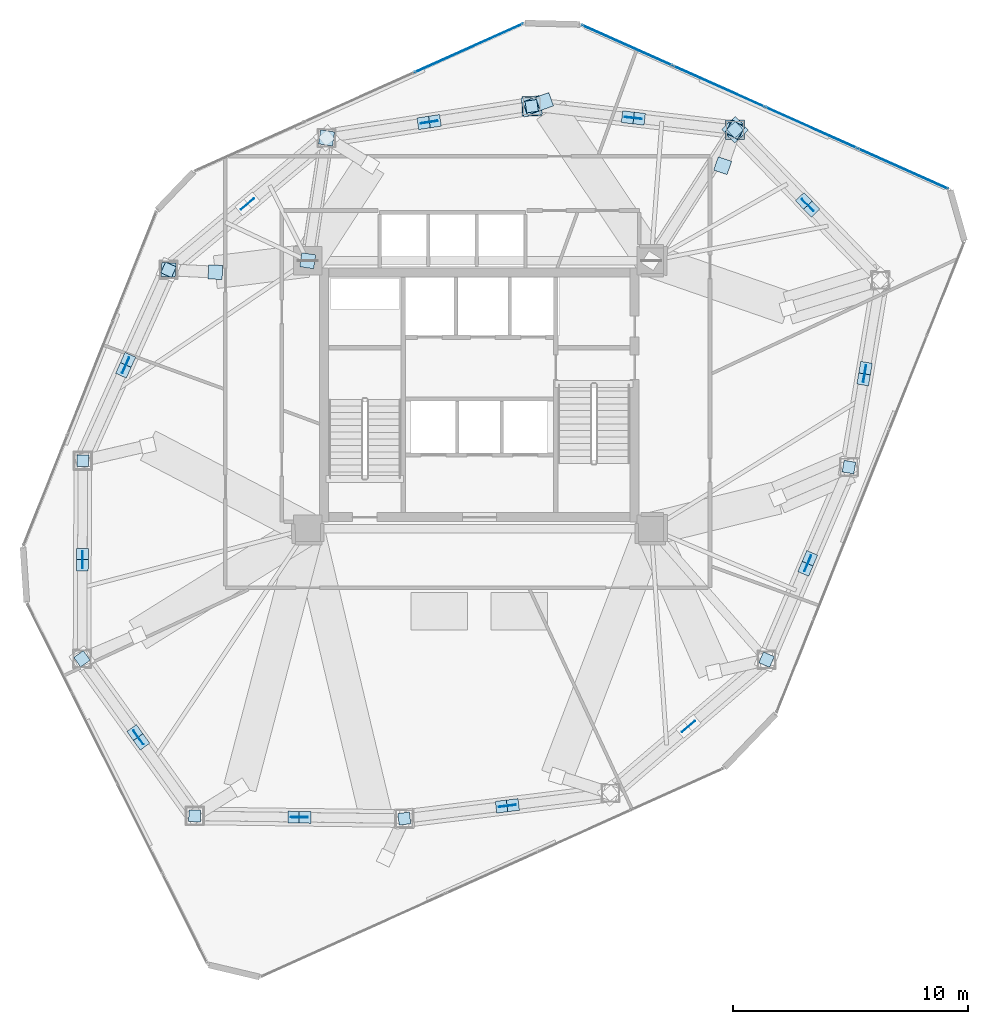
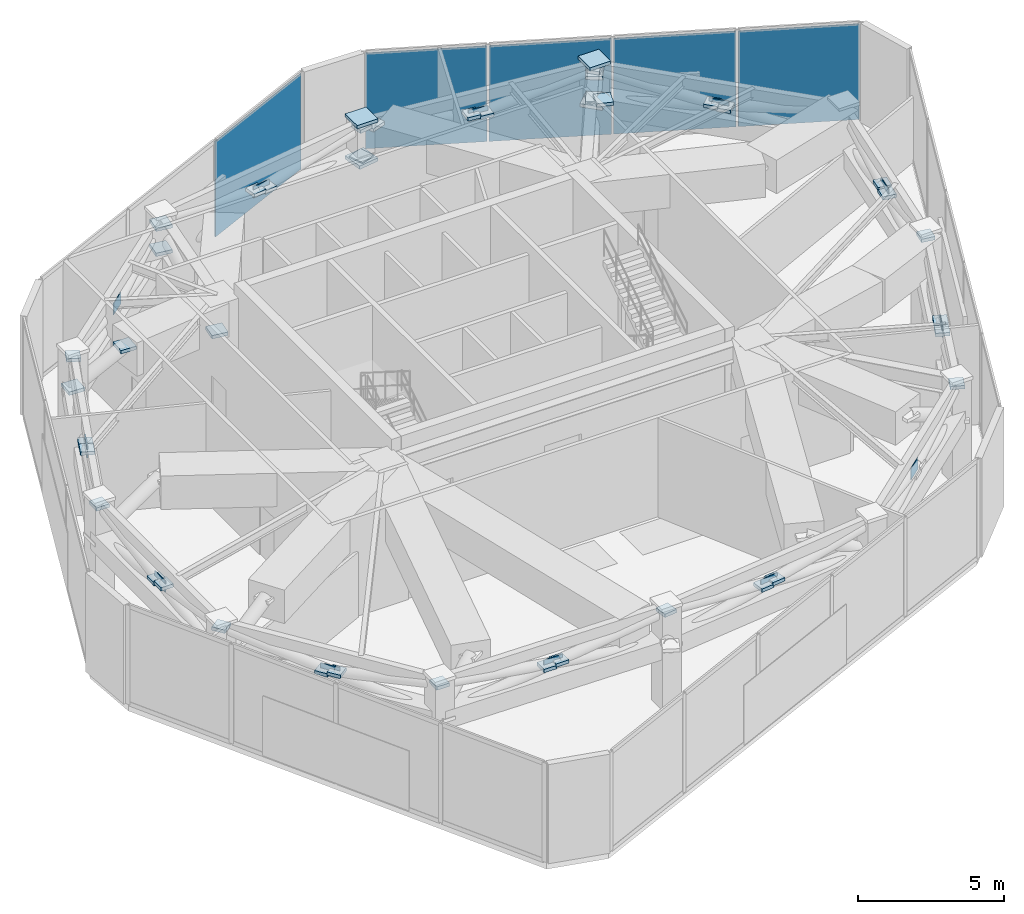
# One storey, part 17 of 21: 61 plates, 2 elements without a shape of their own.
"""IFC4 building model written with IfcOpenShell, lengths in metres."""

from ifc_helpers import new_model, si_unit, direction, frame, origin, origin_2d, place, context, subcontext, project, spatial, rectangle, extrude, source, transform, mapped, material, layer, layer_set, type_object, type_shapes, element, aggregate, save


model = new_model("IFC4")

# Units and contexts
model_context = context("Model", 3, precision=1e-05, world=origin(), true_north=direction((0.0, 1.0)))
body_context = subcontext(model_context, "Body", "Model", "MODEL_VIEW")
ifc_project = project(units=[si_unit("LENGTHUNIT", "METRE"), si_unit("AREAUNIT", "SQUARE_METRE"), si_unit("VOLUMEUNIT", "CUBIC_METRE"), si_unit("PLANEANGLEUNIT", "RADIAN"), si_unit("MASSUNIT", "GRAM", prefix="KILO")], contexts=[model_context])

# Site, building, storey
site_placement = place(None, origin())
site = spatial("IfcSite", under=ifc_project, at=site_placement, CompositionType="ELEMENT")
building_placement = place(site_placement, origin())
building = spatial("IfcBuilding", under=site, at=building_placement, Name="Talar Marvaseh", CompositionType="ELEMENT")
storey_placement = place(building_placement, frame((0.0, 0.0, 162.39990234375)))
storey = spatial("IfcBuildingStorey", under=building, at=storey_placement, Name="L42", CompositionType="ELEMENT", Elevation=162.39990234375)

# Plates
ifc_material_1 = material(Name="Steel S460", Category="steel")
ifc_layer_1 = layer(ifc_material_1, 0.02490234375)
ifc_layer_set_1 = layer_set([ifc_layer_1], Name="Steel S460")
plate_type_1 = type_object("IfcPlateType", Name="Crown Box End Closure Cap Plate 25", PredefinedType="USERDEFINED", material=ifc_layer_set_1)
shared_shape_1 = source(origin(), body_context, "Body", "SweptSolid", [
    extrude(rectangle(XDim=0.5, YDim=0.5, at=origin_2d()), origin(), (0.0, 0.0, 1.0), 0.139892578125),
])
type_shapes(plate_type_1, [shared_shape_1])
for number, where, z_axis, x_axis, name in (
    (1, (40.119873046875, 39.102783203125, 3.0693359375), (0.0, 0.0, 1.0), (-0.694658370459, 0.719339800339, 0.0), "L42 Hollow Member End Cap Plate"),
    (2, (39.7900390625, 39.444091796875, 3.14111328125), (0.0, 0.0, 1.0), (-0.694658370459, 0.719339800339, 0.0), "L42 Hollow Member End Cap Plate"),
    (3, (36.865966796875, 42.470947265625, 3.7802734375), (0.0, 0.0, 1.0), (-0.694658370459, 0.719339800339, 0.0), "L42 Hollow Member End Cap Plate"),
    (4, (41.708984375, 28.1279296875, 3.7802734375), (0.0, 0.0, 1.0), (-0.165047605861, -0.986285601537, 0.0), "L42 Hollow Member End Cap Plate"),
    (5, (42.33740234375, 31.86865234375, 3.0654296875), (0.0, 0.0, 1.0), (0.165047605861, 0.986285601537, 0.0), "L42 Hollow Member End Cap Plate"),
    (6, (42.415771484375, 32.33544921875, 3.14453125), (0.0, 0.0, 1.0), (0.165047605861, 0.986285601537, 0.0), "L42 Hollow Member End Cap Plate"),
    (7, (38.2060546875, 19.94091796875, 3.7802734375), (0.0, 0.0, 1.0), (-0.393941909591, -0.919135339255, 0.0), "L42 Hollow Member End Cap Plate"),
    (8, (39.8642578125, 23.81640625, 3.0693359375), (0.0, 0.0, 1.0), (0.393941909591, 0.919135339255, 0.0), "L42 Hollow Member End Cap Plate"),
    (9, (40.05078125, 24.252685546875, 3.14111328125), (0.0, 0.0, 1.0), (0.393941909591, 0.919135339255, 0.0), "L42 Hollow Member End Cap Plate"),
    (10, (22.804931640625, 13.18310546875, 3.7802734375), (0.0, 0.0, 1.0), (-0.992331937885, -0.12360147674, 0.0), "L42 Hollow Member End Cap Plate"),
    (11, (26.9521484375, 13.6962890625, 3.06884765625), (0.0, 0.0, 1.0), (0.992331937885, 0.12360147674, 0.0), "L42 Hollow Member End Cap Plate"),
    (12, (27.4228515625, 13.754638671875, 3.1416015625), (0.0, 0.0, 1.0), (0.992331937885, 0.12360147674, 0.0), "L42 Hollow Member End Cap Plate"),
    (13, (13.89111328125, 13.299072265625, 3.7802734375), (0.0, 0.0, 1.0), (-0.99992536966, 0.012217000835, 0.0), "L42 Hollow Member End Cap Plate"),
    (14, (18.110595703125, 13.244140625, 3.0693359375), (0.0, 0.0, 1.0), (0.99992536966, -0.012217000835, 0.0), "L42 Hollow Member End Cap Plate"),
    (15, (18.585205078125, 13.23779296875, 3.14111328125), (0.0, 0.0, 1.0), (0.99992536966, -0.012217000835, 0.0), "L42 Hollow Member End Cap Plate"),
    (16, (9.10107421875, 19.97705078125, 3.7802734375), (0.0, 0.0, 1.0), (-0.583541211356, 0.812083526892, 0.0), "L42 Hollow Member End Cap Plate"),
    (17, (11.35791015625, 16.830322265625, 3.06640625), (0.0, 0.0, 1.0), (0.583541211356, -0.812083526892, 0.0), "L42 Hollow Member End Cap Plate"),
    (18, (11.634033203125, 16.445556640625, 3.14404296875), (0.0, 0.0, 1.0), (0.583541211356, -0.812083526892, 0.0), "L42 Hollow Member End Cap Plate"),
    (19, (9.137939453125, 28.402099609375, 3.7802734375), (0.0, 0.0, 1.0), (0.005235963831, 0.999986292247, 0.0), "L42 Hollow Member End Cap Plate"),
    (20, (9.12060546875, 24.426513671875, 3.0673828125), (0.0, 0.0, 1.0), (-0.005235963831, -0.999986292247, 0.0), "L42 Hollow Member End Cap Plate"),
    (21, (9.118408203125, 23.952392578125, 3.14306640625), (0.0, 0.0, 1.0), (-0.005235963831, -0.999986292247, 0.0), "L42 Hollow Member End Cap Plate"),
    (22, (12.780029296875, 36.51708984375, 3.7802734375), (0.0, 0.0, 1.0), (0.409923033842, 0.912120116172, 0.0), "L42 Hollow Member End Cap Plate"),
    (23, (11.05615234375, 32.676025390625, 3.0693359375), (0.0, 0.0, 1.0), (-0.409923033842, -0.912120116172, 0.0), "L42 Hollow Member End Cap Plate"),
    (24, (10.86181640625, 32.242919921875, 3.14111328125), (0.0, 0.0, 1.0), (-0.409923033842, -0.912120116172, 0.0), "L42 Hollow Member End Cap Plate"),
    (25, (28.221923828125, 43.471923828125, 3.7802734375), (0.0, 0.0, 1.0), (0.988228381447, 0.152985836284, 0.0), "L42 Hollow Member End Cap Plate"),
    (26, (24.095947265625, 42.833740234375, 3.06884765625), (0.0, 0.0, 1.0), (-0.988228381447, -0.152985836284, 0.0), "L42 Hollow Member End Cap Plate"),
    (27, (23.626953125, 42.76123046875, 3.1416015625), (0.0, 0.0, 1.0), (-0.988228381447, -0.152985836284, 0.0), "L42 Hollow Member End Cap Plate"),
    (28, (32.779541015625, 42.944091796875, 3.068359375), (0.0, 0.0, 1.0), (-0.9933727656, 0.114937150493, 0.0), "L42 Hollow Member End Cap Plate"),
    (29, (32.308349609375, 42.998779296875, 3.14208984375), (0.0, 0.0, 1.0), (-0.9933727656, 0.114937150493, 0.0), "L42 Hollow Member End Cap Plate"),
):
    element("IfcPlate", number, at=place(storey_placement, frame(where, z_axis=z_axis, x_axis=x_axis)), inside=storey, type_object=plate_type_1, Name=name, ObjectType="CAP_PLATE", PredefinedType="USERDEFINED", context=body_context, shape_type="MappedRepresentation", body=[
        mapped(shared_shape_1, transform((0.0, 0.0, 0.0), x_axis=(1.0, 0.0, 0.0), y_axis=(0.0, 1.0, 0.0), z_axis=(0.0, 0.0, 1.0), scale=1.0)),
    ])
ifc_layer_2 = layer(ifc_material_1, 0.034912109375)
ifc_layer_set_2 = layer_set([ifc_layer_2], Name="Steel S460")
plate_type_2 = type_object("IfcPlateType", Name="Belt Truss Post Closure Cap Plate 35", PredefinedType="USERDEFINED", material=ifc_layer_set_2)
shared_shape_2 = source(origin(), body_context, "Body", "SweptSolid", [
    extrude(rectangle(XDim=0.800048828125, YDim=0.800048828125, at=origin_2d()), origin(), (0.0, 0.0, 1.0), 0.139892578125),
])
for number, where, z_axis, x_axis, name in (
    (30, (36.865966796875, 42.470947265625, 2.43017578125), (0.0, 0.0, 1.0), (0.694658370459, -0.719339800339, 0.0), "L42 Hollow Member End Cap Plate"),
    (31, (28.221923828125, 43.471923828125, 2.43017578125), (0.0, 0.0, 1.0), (0.988228381447, 0.152985836284, 0.0), "L42 Hollow Member End Cap Plate"),
):
    element("IfcPlate", number, at=place(storey_placement, frame(where, z_axis=z_axis, x_axis=x_axis)), inside=storey, type_object=plate_type_2, Name=name, ObjectType="CAP_PLATE", PredefinedType="USERDEFINED", context=body_context, shape_type="MappedRepresentation", body=[
        mapped(shared_shape_2, transform((0.0, 0.0, 0.0), x_axis=(1.0, 0.0, 0.0), y_axis=(0.0, 1.0, 0.0), z_axis=(0.0, 0.0, 1.0), scale=1.0)),
    ])
ifc_layer_3 = layer(ifc_material_1, 0.030029296875)
ifc_layer_set_3 = layer_set([ifc_layer_3], Name="Steel S460")
plate_type_3 = type_object("IfcPlateType", Name="Heavy Box End Closure Cap Plate 30", PredefinedType="USERDEFINED", material=ifc_layer_set_3)
shared_shape_3 = source(origin(), body_context, "Body", "SweptSolid", [
    extrude(rectangle(XDim=0.60009765625, YDim=0.60009765625, at=origin_2d()), origin(), (0.0, 0.0, 1.0), 0.139892578125),
])
type_shapes(plate_type_3, [shared_shape_3])
for number, where, z_axis, x_axis, name in (
    (32, (18.699951171875, 36.89990234375, 2.5302734375), (0.0, 0.0, 1.0), (0.151260820247, 0.988493886809, 0.0), "L42 Hollow Member End Cap Plate"),
    (33, (19.5009765625, 42.123046875, 2.5302734375), (0.0, 0.0, 1.0), (0.151260820247, 0.988493886809, 0.0), "L42 Hollow Member End Cap Plate"),
    (34, (19.5009765625, 42.123046875, 3.580078125), (0.0, 0.0, 1.0), (0.151260820247, 0.988493886809, 0.0), "L42 Hollow Member End Cap Plate"),
    (35, (36.865966796875, 42.470947265625, 2.5302734375), (0.0, 0.0, 1.0), (0.538770785007, 0.842452397007, 0.0), "L42 Hollow Member End Cap Plate"),
    (36, (36.865966796875, 42.470947265625, 3.580078125), (0.0, 0.0, 1.0), (0.538770785007, 0.842452397007, 0.0), "L42 Hollow Member End Cap Plate"),
    (37, (28.221923828125, 43.471923828125, 2.47998046875), (0.0, 0.0, 1.0), (0.940880768954, 0.338737920245, 0.0), "L42 Hollow Member End Cap Plate"),
    (38, (28.76611328125, 43.66796875, 3.580078125), (0.0, 0.0, 1.0), (0.940880768954, 0.338737920245, 0.0), "L42 Hollow Member End Cap Plate"),
    (39, (36.865966796875, 42.470947265625, 2.47998046875), (0.0, 0.0, 1.0), (-0.325568154457, -0.945518575599, 0.0), "L42 Hollow Member End Cap Plate"),
    (40, (36.341064453125, 40.94189453125, 3.580078125), (0.0, 0.0, 1.0), (-0.325568154457, -0.945518575599, 0.0), "L42 Hollow Member End Cap Plate"),
    (41, (12.780029296875, 36.51708984375, 2.47998046875), (0.0, 0.0, 1.0), (0.998719357184, -0.050592940077, 0.0), "L42 Hollow Member End Cap Plate"),
    (42, (14.77294921875, 36.416015625, 3.580078125), (0.0, 0.0, 1.0), (0.998719357184, -0.050592940077, 0.0), "L42 Hollow Member End Cap Plate"),
):
    element("IfcPlate", number, at=place(storey_placement, frame(where, z_axis=z_axis, x_axis=x_axis)), inside=storey, type_object=plate_type_3, Name=name, ObjectType="CAP_PLATE", PredefinedType="USERDEFINED", context=body_context, shape_type="MappedRepresentation", body=[
        mapped(shared_shape_3, transform((0.0, 0.0, 0.0), x_axis=(1.0, 0.0, 0.0), y_axis=(0.0, 1.0, 0.0), z_axis=(0.0, 0.0, 1.0), scale=1.0)),
    ])
shared_shape_4 = source(origin(), body_context, "Body", "SweptSolid", [
    extrude(rectangle(XDim=0.820068359375, YDim=0.820068359375, at=origin_2d()), origin(), (0.0, 0.0, 1.0), 0.139892578125),
])
type_shapes(plate_type_2, [shared_shape_2, shared_shape_4])
for number, where, z_axis, x_axis, name in (
    (43, (36.865966796875, 42.470947265625, 4.125), (0.0, 0.0, 1.0), (1.0, 0.0, 0.0), "L42 Belt Truss Post Top Cap Plate"),
    (44, (28.221923828125, 43.471923828125, 4.125), (0.0, 0.0, 1.0), (1.0, 0.0, 0.0), "L42 Belt Truss Post Top Cap Plate"),
):
    element("IfcPlate", number, at=place(storey_placement, frame(where, z_axis=z_axis, x_axis=x_axis)), inside=storey, type_object=plate_type_2, Name=name, ObjectType="CAP_PLATE", PredefinedType="USERDEFINED", context=body_context, shape_type="MappedRepresentation", body=[
        mapped(shared_shape_4, transform((0.0, 0.0, 0.0), x_axis=(1.0, 0.0, 0.0), y_axis=(0.0, 1.0, 0.0), z_axis=(0.0, 0.0, 1.0), scale=1.0)),
    ])
ifc_layer_4 = layer(ifc_material_1, 0.030029296875)
ifc_layer_set_4 = layer_set([ifc_layer_4], Name="Steel S460")
plate_type_4 = type_object("IfcPlateType", Name="Belt Truss Node Gusset Plate 30", PredefinedType="USERDEFINED", material=ifc_layer_set_4)
shared_shape_5 = source(origin(), body_context, "Body", "SweptSolid", [
    extrude(rectangle(XDim=0.719970703125, YDim=0.030029296875, at=origin_2d()), origin(), (0.0, 0.0, 1.0), 0.47998046875),
])
type_shapes(plate_type_4, [shared_shape_5])
for number, where, z_axis, x_axis, name in (
    (45, (39.955078125, 39.2734375, 2.93505859375), (0.0, 0.0, 1.0), (0.694658370459, -0.719339800339, 0.0), "L42 Belt Truss X-Crossing Gusset Plate 1"),
    (46, (42.37646484375, 32.10205078125, 2.93505859375), (0.0, 0.0, 1.0), (-0.165047605861, -0.986285601537, 0.0), "L42 Belt Truss X-Crossing Gusset Plate 2"),
    (47, (39.95751953125, 24.034423828125, 2.93505859375), (0.0, 0.0, 1.0), (-0.393941909591, -0.919135339255, 0.0), "L42 Belt Truss X-Crossing Gusset Plate 3"),
    (48, (34.887939453125, 17.1044921875, 2.93505859375), (0.0, 0.0, 1.0), (-0.7604059656, -0.64944804833, 0.0), "L42 Belt Truss X-Crossing Gusset Plate 4"),
    (49, (27.1875, 13.7255859375, 2.93505859375), (0.0, 0.0, 1.0), (-0.992331937885, -0.12360147674, 0.0), "L42 Belt Truss X-Crossing Gusset Plate 5"),
    (50, (18.347900390625, 13.240966796875, 2.93505859375), (0.0, 0.0, 1.0), (-0.99992536966, 0.012217000835, 0.0), "L42 Belt Truss X-Crossing Gusset Plate 6"),
    (51, (11.49609375, 16.637939453125, 2.93505859375), (0.0, 0.0, 1.0), (-0.583541211356, 0.812083526892, 0.0), "L42 Belt Truss X-Crossing Gusset Plate 7"),
    (52, (9.119384765625, 24.189453125, 2.93505859375), (0.0, 0.0, 1.0), (0.005235963831, 0.999986292247, 0.0), "L42 Belt Truss X-Crossing Gusset Plate 8"),
    (53, (10.958984375, 32.45947265625, 2.93505859375), (0.0, 0.0, 1.0), (0.409923033842, 0.912120116172, 0.0), "L42 Belt Truss X-Crossing Gusset Plate 9"),
    (54, (16.140380859375, 39.320068359375, 2.93505859375), (0.0, 0.0, 1.0), (0.768283523594, 0.640109699485, 0.0), "L42 Belt Truss X-Crossing Gusset Plate 10"),
    (55, (23.861572265625, 42.797607421875, 2.93505859375), (0.0, 0.0, 1.0), (0.988228381447, 0.152985836284, 0.0), "L42 Belt Truss X-Crossing Gusset Plate 11"),
    (56, (32.5439453125, 42.971435546875, 2.93505859375), (0.0, 0.0, 1.0), (0.9933727656, -0.114937150493, 0.0), "L42 Belt Truss X-Crossing Gusset Plate 12"),
):
    element("IfcPlate", number, at=place(storey_placement, frame(where, z_axis=z_axis, x_axis=x_axis)), inside=storey, type_object=plate_type_4, Name=name, ObjectType="GUSSET_PLATE", PredefinedType="USERDEFINED", context=body_context, shape_type="MappedRepresentation", body=[
        mapped(shared_shape_5, transform((0.0, 0.0, 0.0), x_axis=(1.0, 0.0, 0.0), y_axis=(0.0, 1.0, 0.0), z_axis=(0.0, 0.0, 1.0), scale=1.0)),
    ])

# Curtain wall, plates
ifc_material_2 = material(Name="Architectural Aluminium", Category="aluminium")
ifc_layer_5 = layer(ifc_material_2, 0.199951171875)
ifc_layer_set_5 = layer_set([ifc_layer_5], Name="Architectural Aluminium")
curtain_wall_type = type_object("IfcCurtainWallType", Name="Unitised Acoustic Library Curtain Wall Z2", PredefinedType="NOTDEFINED", material=ifc_layer_set_5)
curtain_wall_1_placement = place(storey_placement, origin())
curtain_wall_1 = element("IfcCurtainWall", 57, at=curtain_wall_1_placement, inside=storey, type_object=curtain_wall_type, Name="L42 Unitised Acoustic Library Curtain Wall Z2", PredefinedType="NOTDEFINED")
ifc_material_3 = material(Name="Spandrel Insulated Glass", Category="glass")
ifc_layer_6 = layer(ifc_material_3, 0.035888671875)
ifc_layer_set_6 = layer_set([ifc_layer_6], Name="Spandrel Insulated Glass")
plate_type_5 = type_object("IfcPlateType", Name="Insulated Back-Painted Spandrel Curtain Panel 36", PredefinedType="CURTAIN_PANEL", material=ifc_layer_set_6)
shared_shape_6 = source(origin(), body_context, "Body", "SweptSolid", [
    extrude(rectangle(XDim=4.185302734375, YDim=0.035888671875, at=origin_2d()), origin(), (0.0, 0.0, 1.0), 4.0),
])
plate_1_placement = place(storey_placement, frame((32.2744140625, 46.0634765625, 0.0751953125), z_axis=(0.0, 0.0, 1.0), x_axis=(0.912861099271, -0.408270270087, 0.0)))
plate_1 = element("IfcPlate", 58, at=plate_1_placement, type_object=plate_type_5, Name="CW-Z2 panel 1.1", PredefinedType="CURTAIN_PANEL", context=body_context, shape_type="MappedRepresentation", body=[
    mapped(shared_shape_6, transform((0.0, 0.0, 0.0), x_axis=(1.0, 0.0, 0.0), y_axis=(0.0, 1.0, 0.0), z_axis=(0.0, 0.0, 1.0), scale=1.0)),
])
plate_2_placement = place(storey_placement, frame((44.01025390625, 40.814697265625, 0.0751953125), z_axis=(0.0, 0.0, 1.0), x_axis=(0.912861099271, -0.408270270087, 0.0)))
plate_2 = element("IfcPlate", 59, at=plate_2_placement, type_object=plate_type_5, Name="CW-Z2 panel 4.1", PredefinedType="CURTAIN_PANEL", context=body_context, shape_type="MappedRepresentation", body=[
    mapped(shared_shape_6, transform((0.0, 0.0, 0.0), x_axis=(1.0, 0.0, 0.0), y_axis=(0.0, 1.0, 0.0), z_axis=(0.0, 0.0, 1.0), scale=1.0)),
])
shared_shape_7 = source(origin(), body_context, "Body", "SweptSolid", [
    extrude(rectangle(XDim=4.222900390625, YDim=0.035888671875, at=origin_2d()), origin(), (0.0, 0.0, 1.0), 4.0),
])
plate_3_placement = place(storey_placement, frame((36.1806640625, 44.31640625, 0.0751953125), z_axis=(0.0, 0.0, 1.0), x_axis=(0.912861099271, -0.408270270087, 0.0)))
plate_3 = element("IfcPlate", 60, at=plate_3_placement, type_object=plate_type_5, Name="CW-Z2 panel 2.1", PredefinedType="CURTAIN_PANEL", context=body_context, shape_type="MappedRepresentation", body=[
    mapped(shared_shape_7, transform((0.0, 0.0, 0.0), x_axis=(1.0, 0.0, 0.0), y_axis=(0.0, 1.0, 0.0), z_axis=(0.0, 0.0, 1.0), scale=1.0)),
])
plate_4_placement = place(storey_placement, frame((40.10400390625, 42.561767578125, 0.0751953125), z_axis=(0.0, 0.0, 1.0), x_axis=(0.912861099271, -0.408270270087, 0.0)))
plate_4 = element("IfcPlate", 61, at=plate_4_placement, type_object=plate_type_5, Name="CW-Z2 panel 3.1", PredefinedType="CURTAIN_PANEL", context=body_context, shape_type="MappedRepresentation", body=[
    mapped(shared_shape_7, transform((0.0, 0.0, 0.0), x_axis=(1.0, 0.0, 0.0), y_axis=(0.0, 1.0, 0.0), z_axis=(0.0, 0.0, 1.0), scale=1.0)),
])
aggregate(curtain_wall_1, [plate_1, plate_3, plate_4, plate_2])

# Curtain wall, plate
curtain_wall_2_placement = place(storey_placement, origin())
curtain_wall_2 = element("IfcCurtainWall", 62, at=curtain_wall_2_placement, inside=storey, type_object=curtain_wall_type, Name="L42 Unitised Acoustic Library Curtain Wall Z2", PredefinedType="NOTDEFINED")
shared_shape_8 = source(origin(), body_context, "Body", "SweptSolid", [
    extrude(rectangle(XDim=5.017578125, YDim=0.035888671875, at=origin_2d()), origin(), (0.0, 0.0, 1.0), 4.0),
])
type_shapes(plate_type_5, [shared_shape_6, shared_shape_7, shared_shape_8])
plate_5_placement = place(storey_placement, frame((25.54931640625, 45.9462890625, 0.0751953125), z_axis=(0.0, 0.0, 1.0), x_axis=(0.912247532518, 0.409639401688, 0.0)))
plate_5 = element("IfcPlate", 63, at=plate_5_placement, type_object=plate_type_5, Name="CW-Z2 panel 3.1", PredefinedType="CURTAIN_PANEL", context=body_context, shape_type="MappedRepresentation", body=[
    mapped(shared_shape_8, transform((0.0, 0.0, 0.0), x_axis=(1.0, 0.0, 0.0), y_axis=(0.0, 1.0, 0.0), z_axis=(0.0, 0.0, 1.0), scale=1.0)),
])
aggregate(curtain_wall_2, [plate_5])

save(model, "model.ifc")
